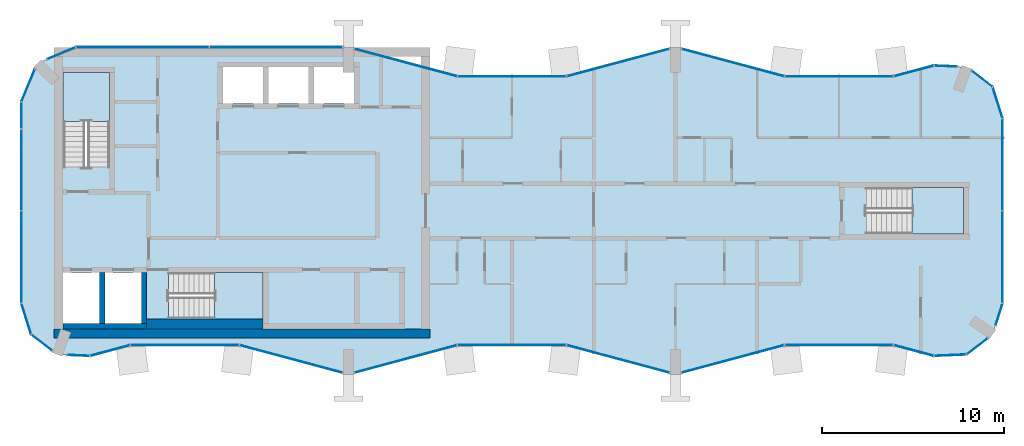
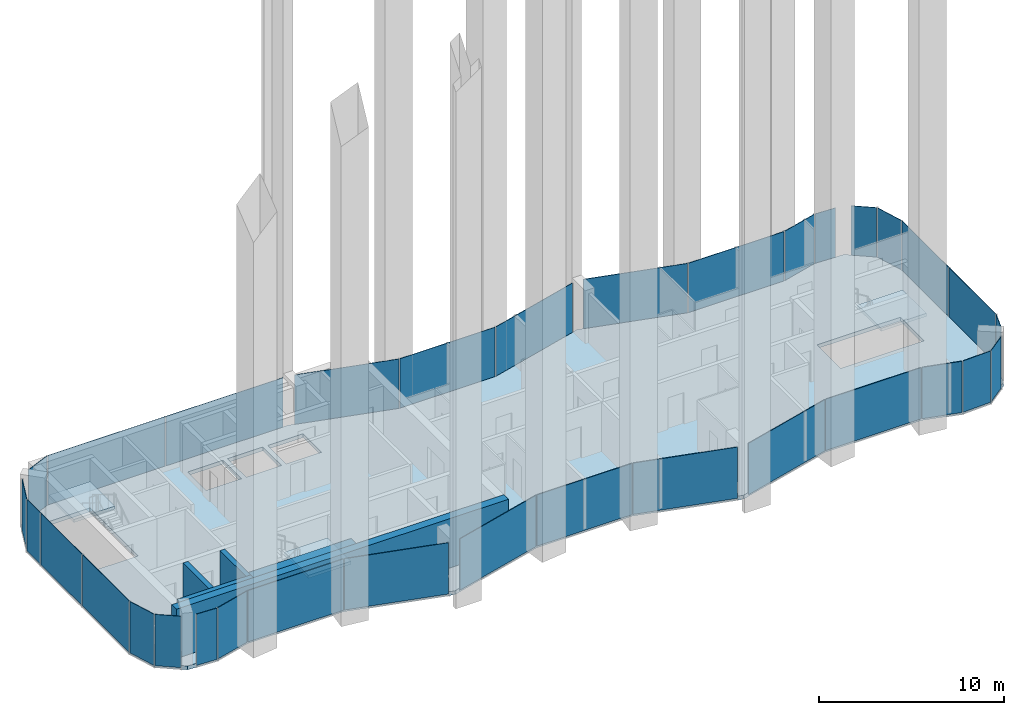
# One storey, part 6 of 11: 33 plates, 5 walls, 4 slabs, 32 elements without a shape of their own.
"""IFC4 building model written with IfcOpenShell, lengths in metres."""

import ifcopenshell
import ifcopenshell.guid

model = None  # the IFC model being written
_history = None  # IfcOwnerHistory: only IFC2X3 demands one
_inside = {}  # id of a spatial element -> (the spatial element, [elements in it])
_under = {}  # id of a project, library or spatial element -> (it, [spatial elements below it])
_declared = {}  # id of a project -> (the project, [libraries it declares])
_typed = {}  # id of a type object -> (the type object, [elements of that type])
_made_of = {}  # id of a material, layer set ... -> (it, [elements and type objects made of it])


def new_model(schema):
    """Start an empty IFC model of exactly this schema.

    Asked for "IFC4X3", IfcOpenShell would pick the latest addendum, in which some entities
    have other attributes; the version numbers below select the first issue.
    IFC2X3 requires an IfcOwnerHistory on every rooted entity: one is made here for all.
    """
    global model, _history
    if schema == "IFC4X3":
        model = ifcopenshell.file(schema_version=(4, 3, 0, 0))
    else:
        model = ifcopenshell.file(schema=schema)
    _inside.clear()
    _under.clear()
    _declared.clear()
    _typed.clear()
    _made_of.clear()
    _history = None
    if model.schema == "IFC2X3":
        org = make("IfcOrganization", Name="unknown")
        user = make(
            "IfcPersonAndOrganization",
            ThePerson=make("IfcPerson", FamilyName="unknown"),
            TheOrganization=org,
        )
        app = make(
            "IfcApplication",
            ApplicationDeveloper=org,
            Version="unknown",
            ApplicationFullName="unknown",
            ApplicationIdentifier="unknown",
        )
        _history = make(
            "IfcOwnerHistory",
            OwningUser=user,
            OwningApplication=app,
            ChangeAction="ADDED",
            CreationDate=0,
        )
    return model


def make(cls, **values):
    """One entity of the class cls with the attributes given. An attribute that is None is left unset."""
    return model.create_entity(
        cls, **{name: value for name, value in values.items() if value is not None}
    )


def rooted(cls, **values):
    """An entity with a GlobalId (a new one), such as an element, a storey or a relation."""
    return make(cls, GlobalId=ifcopenshell.guid.new(), OwnerHistory=_history, **values)


def si_unit(unit_type, name, prefix=None):
    """IfcSIUnit, for example si_unit("LENGTHUNIT", "METRE", prefix="MILLI")."""
    return make("IfcSIUnit", UnitType=unit_type, Prefix=prefix, Name=name)


def assignment(units):
    """IfcUnitAssignment: the units of a project."""
    return None if units is None else make("IfcUnitAssignment", Units=units)


def point(xyz):
    """IfcCartesianPoint."""
    return None if xyz is None else make("IfcCartesianPoint", Coordinates=xyz)


def direction(xyz):
    """IfcDirection."""
    return None if xyz is None else make("IfcDirection", DirectionRatios=xyz)


def frame(location, z_axis=None, x_axis=None):
    """IfcAxis2Placement3D, a coordinate frame: its origin and axes. An axis left out is left unset."""
    return make(
        "IfcAxis2Placement3D",
        Location=point(location),
        Axis=direction(z_axis),
        RefDirection=direction(x_axis),
    )


def frame_2d(location, x_axis=None):
    """IfcAxis2Placement2D, a coordinate frame in the plane: its origin and x axis."""
    return make(
        "IfcAxis2Placement2D", Location=point(location), RefDirection=direction(x_axis)
    )


def origin():
    """The frame at (0, 0, 0) with its axes left unset."""
    return frame((0.0, 0.0, 0.0))


def origin_2d():
    """The frame at (0, 0) in the plane with its x axis left unset."""
    return frame_2d((0.0, 0.0))


def place(relative_to, where):
    """IfcLocalPlacement: puts the frame where relative to a parent placement (None: the world)."""
    return make(
        "IfcLocalPlacement", PlacementRelTo=relative_to, RelativePlacement=where
    )


def context(
    kind, dimensions, precision=None, world=None, true_north=None, identifier=None
):
    """IfcGeometricRepresentationContext, for example the 3D "Model" context."""
    return make(
        "IfcGeometricRepresentationContext",
        ContextIdentifier=identifier,
        ContextType=kind,
        CoordinateSpaceDimension=dimensions,
        Precision=precision,
        WorldCoordinateSystem=world,
        TrueNorth=true_north,
    )


def subcontext(parent, identifier, kind, view, scale=None):
    """IfcGeometricRepresentationSubContext, for example "Body" below "Model"."""
    return make(
        "IfcGeometricRepresentationSubContext",
        ContextIdentifier=identifier,
        ContextType=kind,
        ParentContext=parent,
        TargetScale=scale,
        TargetView=view,
    )


def project(units=None, contexts=None):
    """IfcProject with its units and contexts."""
    return rooted(
        "IfcProject",
        Name="project",
        RepresentationContexts=contexts,
        UnitsInContext=assignment(units),
    )


def spatial(cls, under=None, at=None, **own):
    """A site, building, storey or space (cls), placed at a placement, below another one or the project."""
    s = rooted(cls, ObjectPlacement=at, **own)
    if under is not None:
        _under.setdefault(under.id(), (under, []))[1].append(s)
    return s


def polyline(points):
    """IfcPolyline through the points."""
    return make("IfcPolyline", Points=[point(p) for p in points])


def profile(cls, at=None, kind="AREA", **sizes):
    """A parametric profile (cls). Its sizes go by their IFC names, for example OverallWidth=200.0."""
    return make(cls, ProfileType=kind, Position=at, **sizes)


def rectangle(**sizes):
    """IfcRectangleProfileDef."""
    return profile("IfcRectangleProfileDef", **sizes)


def outline(outer, holes=None, kind="AREA"):
    """IfcArbitraryClosedProfileDef: a profile drawn as a closed curve; with holes, ...WithVoids."""
    if holes is None:
        return make("IfcArbitraryClosedProfileDef", ProfileType=kind, OuterCurve=outer)
    return make(
        "IfcArbitraryProfileDefWithVoids",
        ProfileType=kind,
        OuterCurve=outer,
        InnerCurves=holes,
    )


def extrude(swept, where, along, depth):
    """IfcExtrudedAreaSolid: the profile swept, set in the frame where, extruded along a direction by depth."""
    return make(
        "IfcExtrudedAreaSolid",
        SweptArea=swept,
        Position=where,
        ExtrudedDirection=direction(along),
        Depth=depth,
    )


def shape(context_of_items, identifier, shape_type, items):
    """IfcShapeRepresentation: the items that make up one representation, for example the "Body"."""
    return make(
        "IfcShapeRepresentation",
        ContextOfItems=context_of_items,
        RepresentationIdentifier=identifier,
        RepresentationType=shape_type,
        Items=items,
    )


def material(Name=None, Category=None):
    """IfcMaterial."""
    return make("IfcMaterial", Name=Name, Category=Category)


def layer(
    of_material, thickness, ventilated=None, Name=None, Category=None, Priority=None
):
    """IfcMaterialLayer: one layer of a wall or slab, of a material (None: an air gap)."""
    return make(
        "IfcMaterialLayer",
        Material=of_material,
        LayerThickness=thickness,
        IsVentilated=ventilated,
        Name=Name,
        Category=Category,
        Priority=Priority,
    )


def layer_set(layers, Name=None):
    """IfcMaterialLayerSet."""
    return make("IfcMaterialLayerSet", MaterialLayers=layers, LayerSetName=Name)


def made_of(thing, what):
    """Note that an element or type object is made of a material, layer set ...; save() writes the relation."""
    if what is not None:
        _made_of.setdefault(what.id(), (what, []))[1].append(thing)
    return thing


def type_object(cls, material=None, **own):
    """A type object (cls), such as IfcWallType, which elements share."""
    return made_of(rooted(cls, **own), material)


def element(
    cls,
    number,
    at=None,
    inside=None,
    cuts=None,
    type_object=None,
    material=None,
    context=None,
    identifier="Body",
    shape_type=None,
    held_by="IfcProductDefinitionShape",
    body=None,
    shapes=None,
    **own,
):
    """One element of the class cls, such as IfcWall. Its Tag is "e" and its number.

    at: its placement. inside: the storey or other place that contains it. cuts: it is an
    opening in that element (IfcRelVoidsElement). A single representation is given by context,
    identifier, shape_type and body (its items); several are given by shapes. held_by: the class
    of the entity that holds the representations. save() writes the other relations.
    """
    e = rooted(cls, Tag="e%d" % number, ObjectPlacement=at, **own)
    if body is not None:
        shapes = [shape(context, identifier, shape_type, body)]
    if shapes is not None:
        e.Representation = make(held_by, Representations=shapes)
    if inside is not None:
        _inside.setdefault(inside.id(), (inside, []))[1].append(e)
    if cuts is not None:
        rooted(
            "IfcRelVoidsElement", RelatingBuildingElement=cuts, RelatedOpeningElement=e
        )
    if type_object is not None:
        _typed.setdefault(type_object.id(), (type_object, []))[1].append(e)
    return made_of(e, material)


def aggregate(whole, parts):
    """IfcRelAggregates: a whole, such as a stair, and the parts it consists of."""
    return rooted("IfcRelAggregates", RelatingObject=whole, RelatedObjects=parts)


def save(model, path):
    """Write the relations noted so far, then the file.

    IfcRelAggregates (storeys below a building ...), IfcRelContainedInSpatialStructure (elements
    in a storey), IfcRelDefinesByType, IfcRelAssociatesMaterial and IfcRelDeclares: one each for
    every whole, place, type object, material and project.
    """
    for whole, parts in _under.values():
        aggregate(whole, parts)
    for where, things in _inside.values():
        rooted(
            "IfcRelContainedInSpatialStructure",
            RelatedElements=things,
            RelatingStructure=where,
        )
    for kind, things in _typed.values():
        rooted("IfcRelDefinesByType", RelatedObjects=things, RelatingType=kind)
    for what, things in _made_of.values():
        rooted("IfcRelAssociatesMaterial", RelatedObjects=things, RelatingMaterial=what)
    for by, libraries in _declared.values():
        rooted("IfcRelDeclares", RelatingContext=by, RelatedDefinitions=libraries)
    model.write(path)


model = new_model("IFC4")

# Units and contexts
model_context = context("Model", 3, precision=1e-05, world=origin(), true_north=direction((0.0, 1.0)))
body_context = subcontext(model_context, "Body", "Model", "MODEL_VIEW")
ifc_project = project(units=[si_unit("LENGTHUNIT", "METRE"), si_unit("AREAUNIT", "SQUARE_METRE"), si_unit("VOLUMEUNIT", "CUBIC_METRE"), si_unit("PLANEANGLEUNIT", "RADIAN"), si_unit("MASSUNIT", "GRAM", prefix="KILO")], contexts=[model_context])

# Site, building, storey
site_placement = place(None, origin())
site = spatial("IfcSite", under=ifc_project, at=site_placement, CompositionType="ELEMENT")
building_placement = place(site_placement, origin())
building = spatial("IfcBuilding", under=site, at=building_placement, Name="Plateau Cross Towers", CompositionType="ELEMENT")
storey_placement = place(building_placement, frame((0.0, 0.0, 242.39990234375)))
storey = spatial("IfcBuildingStorey", under=building, at=storey_placement, Name="L63", CompositionType="ELEMENT", Elevation=242.39990234375)

# Curtain wall, plate
ifc_material_1 = material(Name="Dark low-iron glass", Category="glass")
ifc_layer_1 = layer(ifc_material_1, 0.239990234375)
ifc_layer_set_1 = layer_set([ifc_layer_1], Name="Dark low-iron glass")
curtain_wall_type_1 = type_object("IfcCurtainWallType", Name="Curtain wall flush unitised CW-B", PredefinedType="NOTDEFINED", material=ifc_layer_set_1)
curtain_wall_1_placement = place(storey_placement, origin())
curtain_wall_1 = element("IfcCurtainWall", 1, at=curtain_wall_1_placement, inside=storey, type_object=curtain_wall_type_1, Name="ENV/A/L63/A502_10", PredefinedType="NOTDEFINED")
ifc_layer_2 = layer(ifc_material_1, 0.031982421875)
ifc_layer_set_2 = layer_set([ifc_layer_2], Name="Dark low-iron glass")
plate_type_1 = type_object("IfcPlateType", Name="Glass panel 32 flush unitised", PredefinedType="CURTAIN_PANEL", material=ifc_layer_set_2)
plate_1_placement = place(storey_placement, frame((51.125, 1.05078125, -0.1298828125), z_axis=(0.0, 0.0, 1.0), x_axis=(0.999043701491, 0.043722791671, 0.0)))
plate_1 = element("IfcPlate", 2, at=plate_1_placement, type_object=plate_type_1, Name="CW-B panel 1", PredefinedType="CURTAIN_PANEL", context=body_context, shape_type="SweptSolid", body=[
    extrude(rectangle(XDim=1.744140625, YDim=0.031982421875, at=origin_2d()), origin(), (0.0, 0.0, 1.0), 3.3798828125),
])
aggregate(curtain_wall_1, [plate_1])

curtain_wall_2_placement = place(storey_placement, origin())
curtain_wall_2 = element("IfcCurtainWall", 3, at=curtain_wall_2_placement, inside=storey, type_object=curtain_wall_type_1, Name="ENV/A/L63/A520_11", PredefinedType="NOTDEFINED")
plate_2_placement = place(storey_placement, frame((52.60986328125, 1.5380859375, -0.1298828125), z_axis=(0.0, 0.0, 1.0), x_axis=(0.793315514529, 0.608810721331, 0.0)))
plate_2 = element("IfcPlate", 4, at=plate_2_placement, type_object=plate_type_1, Name="CW-B panel 1", PredefinedType="CURTAIN_PANEL", context=body_context, shape_type="SweptSolid", body=[
    extrude(rectangle(XDim=1.41162109375, YDim=0.031982421875, at=origin_2d()), origin(), (0.0, 0.0, 1.0), 3.3798828125),
])
aggregate(curtain_wall_2, [plate_2])

curtain_wall_3_placement = place(storey_placement, origin())
curtain_wall_3 = element("IfcCurtainWall", 5, at=curtain_wall_3_placement, inside=storey, type_object=curtain_wall_type_1, Name="ENV/A/L63/A536_27", PredefinedType="NOTDEFINED")
plate_3_placement = place(storey_placement, frame((53.805419921875, 3.292236328125, -0.1298828125), z_axis=(0.0, 0.0, 1.0), x_axis=(0.300686174994, 0.95372313811, 0.0)))
plate_3 = element("IfcPlate", 6, at=plate_3_placement, type_object=plate_type_1, Name="CW-B panel 1", PredefinedType="CURTAIN_PANEL", context=body_context, shape_type="SweptSolid", body=[
    extrude(rectangle(XDim=1.233642578125, YDim=0.031982421875, at=origin_2d()), origin(), (0.0, 0.0, 1.0), 3.3798828125),
])
aggregate(curtain_wall_3, [plate_3])

# Curtain wall, plates
curtain_wall_4_placement = place(storey_placement, origin())
curtain_wall_4 = element("IfcCurtainWall", 7, at=curtain_wall_4_placement, inside=storey, type_object=curtain_wall_type_1, Name="ENV/A/L63/A540_39", PredefinedType="NOTDEFINED")
plate_4_placement = place(storey_placement, frame((54.0, 6.45458984375, -0.1298828125), z_axis=(0.0, 0.0, 1.0), x_axis=(0.0, 1.0, 0.0)))
plate_4 = element("IfcPlate", 8, at=plate_4_placement, type_object=plate_type_1, Name="CW-B panel 1", PredefinedType="CURTAIN_PANEL", context=body_context, shape_type="SweptSolid", body=[
    extrude(rectangle(XDim=5.03076171875, YDim=0.031982421875, at=origin_2d()), origin(), (0.0, 0.0, 1.0), 3.3798828125),
])
plate_5_placement = place(storey_placement, frame((54.0, 11.54541015625, -0.1298828125), z_axis=(0.0, 0.0, 1.0), x_axis=(0.0, 1.0, 0.0)))
plate_5 = element("IfcPlate", 9, at=plate_5_placement, type_object=plate_type_1, Name="CW-B panel 2", PredefinedType="CURTAIN_PANEL", context=body_context, shape_type="SweptSolid", body=[
    extrude(rectangle(XDim=5.03076171875, YDim=0.031982421875, at=origin_2d()), origin(), (0.0, 0.0, 1.0), 3.3798828125),
])
aggregate(curtain_wall_4, [plate_4, plate_5])

# Curtain wall, plate
curtain_wall_5_placement = place(storey_placement, origin())
curtain_wall_5 = element("IfcCurtainWall", 10, at=curtain_wall_5_placement, inside=storey, type_object=curtain_wall_type_1, Name="ENV/A/L63/A540_141", PredefinedType="NOTDEFINED")
plate_6_placement = place(storey_placement, frame((53.728759765625, 14.951171875, -0.1298828125), z_axis=(0.0, 0.0, 1.0), x_axis=(-0.300686174994, 0.95372313811, 0.0)))
plate_6 = element("IfcPlate", 11, at=plate_6_placement, type_object=plate_type_1, Name="CW-B panel 1", PredefinedType="CURTAIN_PANEL", context=body_context, shape_type="SweptSolid", body=[
    extrude(rectangle(XDim=1.744140625, YDim=0.031982421875, at=origin_2d()), origin(), (0.0, 0.0, 1.0), 3.3798828125),
])
aggregate(curtain_wall_5, [plate_6])

curtain_wall_6_placement = place(storey_placement, origin())
curtain_wall_6 = element("IfcCurtainWall", 12, at=curtain_wall_6_placement, inside=storey, type_object=curtain_wall_type_1, Name="ENV/A/L63/A535_158", PredefinedType="NOTDEFINED")
plate_7_placement = place(storey_placement, frame((52.873779296875, 16.25927734375, -0.1298828125), z_axis=(0.0, 0.0, 1.0), x_axis=(-0.793315514529, 0.608810721331, 0.0)))
plate_7 = element("IfcPlate", 13, at=plate_7_placement, type_object=plate_type_1, Name="CW-B panel 1", PredefinedType="CURTAIN_PANEL", context=body_context, shape_type="SweptSolid", body=[
    extrude(rectangle(XDim=1.41162109375, YDim=0.031982421875, at=origin_2d()), origin(), (0.0, 0.0, 1.0), 3.3798828125),
])
aggregate(curtain_wall_6, [plate_7])

curtain_wall_7_placement = place(storey_placement, origin())
curtain_wall_7 = element("IfcCurtainWall", 14, at=curtain_wall_7_placement, inside=storey, type_object=curtain_wall_type_1, Name="ENV/A/L63/A515_169", PredefinedType="NOTDEFINED")
plate_8_placement = place(storey_placement, frame((50.8701171875, 16.96044921875, -0.1298828125), z_axis=(0.0, 0.0, 1.0), x_axis=(-0.999043701491, 0.043722791671, 0.0)))
plate_8 = element("IfcPlate", 15, at=plate_8_placement, type_object=plate_type_1, Name="CW-B panel 1", PredefinedType="CURTAIN_PANEL", context=body_context, shape_type="SweptSolid", body=[
    extrude(rectangle(XDim=1.233642578125, YDim=0.031982421875, at=origin_2d()), origin(), (0.0, 0.0, 1.0), 3.3798828125),
])
aggregate(curtain_wall_7, [plate_8])

# Curtain wall, plates
curtain_wall_8_placement = place(storey_placement, origin())
curtain_wall_8 = element("IfcCurtainWall", 16, at=curtain_wall_8_placement, inside=storey, type_object=curtain_wall_type_1, Name="ENV/A/L63/A177_180", PredefinedType="NOTDEFINED")
plate_9_placement = place(storey_placement, frame((14.02490234375, 18.0, -0.1298828125), z_axis=(0.0, 0.0, 1.0), x_axis=(-1.0, 0.0, 0.0)))
plate_9 = element("IfcPlate", 17, at=plate_9_placement, type_object=plate_type_1, Name="CW-B panel 1", PredefinedType="CURTAIN_PANEL", context=body_context, shape_type="SweptSolid", body=[
    extrude(rectangle(XDim=7.2900390625, YDim=0.031982421875, at=origin_2d()), origin(), (0.0, 0.0, 1.0), 3.3798828125),
])
plate_10_placement = place(storey_placement, frame((6.675048828125, 18.0, -0.1298828125), z_axis=(0.0, 0.0, 1.0), x_axis=(-1.0, 0.0, 0.0)))
plate_10 = element("IfcPlate", 18, at=plate_10_placement, type_object=plate_type_1, Name="CW-B panel 2", PredefinedType="CURTAIN_PANEL", context=body_context, shape_type="SweptSolid", body=[
    extrude(rectangle(XDim=7.2900390625, YDim=0.031982421875, at=origin_2d()), origin(), (0.0, 0.0, 1.0), 3.3798828125),
])
aggregate(curtain_wall_8, [plate_9, plate_10])

# Curtain wall, plate
curtain_wall_9_placement = place(storey_placement, origin())
curtain_wall_9 = element("IfcCurtainWall", 19, at=curtain_wall_9_placement, inside=storey, type_object=curtain_wall_type_1, Name="ENV/A/L63/A30_180", PredefinedType="NOTDEFINED")
plate_11_placement = place(storey_placement, frame((2.20166015625, 17.66943359375, -0.1298828125), z_axis=(0.0, 0.0, 1.0), x_axis=(-0.923879457699, -0.382683612978, 0.0)))
plate_11 = element("IfcPlate", 20, at=plate_11_placement, type_object=plate_type_1, Name="CW-B panel 1", PredefinedType="CURTAIN_PANEL", context=body_context, shape_type="SweptSolid", body=[
    extrude(rectangle(XDim=1.668212890625, YDim=0.031982421875, at=origin_2d()), origin(), (0.0, 0.0, 1.0), 3.3798828125),
])
aggregate(curtain_wall_9, [plate_11])

curtain_wall_10_placement = place(storey_placement, origin())
curtain_wall_10 = element("IfcCurtainWall", 21, at=curtain_wall_10_placement, inside=storey, type_object=curtain_wall_type_1, Name="ENV/A/L63/A7_168", PredefinedType="NOTDEFINED")
plate_12_placement = place(storey_placement, frame((0.3740234375, 15.90283203125, -0.1298828125), z_axis=(0.0, 0.0, 1.0), x_axis=(-0.382683612978, -0.923879457699, 0.0)))
plate_12 = element("IfcPlate", 22, at=plate_12_placement, type_object=plate_type_1, Name="CW-B panel 1", PredefinedType="CURTAIN_PANEL", context=body_context, shape_type="SweptSolid", body=[
    extrude(rectangle(XDim=1.894775390625, YDim=0.031982421875, at=origin_2d()), origin(), (0.0, 0.0, 1.0), 3.3798828125),
])
aggregate(curtain_wall_10, [plate_12])

# Curtain wall, plates
curtain_wall_11_placement = place(storey_placement, origin())
curtain_wall_11 = element("IfcCurtainWall", 23, at=curtain_wall_11_placement, inside=storey, type_object=curtain_wall_type_1, Name="ENV/A/L63/A0_150", PredefinedType="NOTDEFINED")
plate_13_placement = place(storey_placement, frame((0.0, 14.25, -0.1298828125), z_axis=(0.0, 0.0, 1.0), x_axis=(0.0, -1.0, 0.0)))
plate_13 = element("IfcPlate", 24, at=plate_13_placement, type_object=plate_type_1, Name="CW-B panel 1", PredefinedType="CURTAIN_PANEL", context=body_context, shape_type="SweptSolid", body=[
    extrude(rectangle(XDim=1.43994140625, YDim=0.031982421875, at=origin_2d()), origin(), (0.0, 0.0, 1.0), 3.3798828125),
])
plate_14_placement = place(storey_placement, frame((0.0, 11.25, -0.1298828125), z_axis=(0.0, 0.0, 1.0), x_axis=(0.0, -1.0, 0.0)))
plate_14 = element("IfcPlate", 25, at=plate_14_placement, type_object=plate_type_1, Name="CW-B panel 2", PredefinedType="CURTAIN_PANEL", context=body_context, shape_type="SweptSolid", body=[
    extrude(rectangle(XDim=4.43994140625, YDim=0.031982421875, at=origin_2d()), origin(), (0.0, 0.0, 1.0), 3.3798828125),
])
plate_15_placement = place(storey_placement, frame((0.0, 6.45458984375, -0.1298828125), z_axis=(0.0, 0.0, 1.0), x_axis=(0.0, -1.0, 0.0)))
plate_15 = element("IfcPlate", 26, at=plate_15_placement, type_object=plate_type_1, Name="CW-B panel 3", PredefinedType="CURTAIN_PANEL", context=body_context, shape_type="SweptSolid", body=[
    extrude(rectangle(XDim=5.03076171875, YDim=0.031982421875, at=origin_2d()), origin(), (0.0, 0.0, 1.0), 3.3798828125),
])
aggregate(curtain_wall_11, [plate_13, plate_14, plate_15])

# Curtain wall, plate
curtain_wall_12_placement = place(storey_placement, origin())
curtain_wall_12 = element("IfcCurtainWall", 27, at=curtain_wall_12_placement, inside=storey, type_object=curtain_wall_type_1, Name="ENV/A/L63/A0_39", PredefinedType="NOTDEFINED")
plate_16_placement = place(storey_placement, frame((0.271240234375, 3.048828125, -0.1298828125), z_axis=(0.0, 0.0, 1.0), x_axis=(0.300686174994, -0.95372313811, 0.0)))
plate_16 = element("IfcPlate", 28, at=plate_16_placement, type_object=plate_type_1, Name="CW-B panel 1", PredefinedType="CURTAIN_PANEL", context=body_context, shape_type="SweptSolid", body=[
    extrude(rectangle(XDim=1.744140625, YDim=0.031982421875, at=origin_2d()), origin(), (0.0, 0.0, 1.0), 3.3798828125),
])
aggregate(curtain_wall_12, [plate_16])

curtain_wall_13_placement = place(storey_placement, origin())
curtain_wall_13 = element("IfcCurtainWall", 29, at=curtain_wall_13_placement, inside=storey, type_object=curtain_wall_type_1, Name="ENV/A/L63/A5_22", PredefinedType="NOTDEFINED")
plate_17_placement = place(storey_placement, frame((1.126220703125, 1.74072265625, -0.1298828125), z_axis=(0.0, 0.0, 1.0), x_axis=(0.793315514529, -0.608810721331, 0.0)))
plate_17 = element("IfcPlate", 30, at=plate_17_placement, type_object=plate_type_1, Name="CW-B panel 1", PredefinedType="CURTAIN_PANEL", context=body_context, shape_type="SweptSolid", body=[
    extrude(rectangle(XDim=1.41162109375, YDim=0.031982421875, at=origin_2d()), origin(), (0.0, 0.0, 1.0), 3.3798828125),
])
aggregate(curtain_wall_13, [plate_17])

curtain_wall_14_placement = place(storey_placement, origin())
curtain_wall_14 = element("IfcCurtainWall", 31, at=curtain_wall_14_placement, inside=storey, type_object=curtain_wall_type_1, Name="ENV/A/L63/A25_11", PredefinedType="NOTDEFINED")
plate_18_placement = place(storey_placement, frame((3.1298828125, 1.03955078125, -0.1298828125), z_axis=(0.0, 0.0, 1.0), x_axis=(0.999043701491, -0.043722791671, 0.0)))
plate_18 = element("IfcPlate", 32, at=plate_18_placement, type_object=plate_type_1, Name="CW-B panel 1", PredefinedType="CURTAIN_PANEL", context=body_context, shape_type="SweptSolid", body=[
    extrude(rectangle(XDim=1.233642578125, YDim=0.031982421875, at=origin_2d()), origin(), (0.0, 0.0, 1.0), 3.3798828125),
])
aggregate(curtain_wall_14, [plate_18])

ifc_layer_3 = layer(ifc_material_1, 0.260009765625)
ifc_layer_set_3 = layer_set([ifc_layer_3], Name="Dark low-iron glass")
curtain_wall_type_2 = type_object("IfcCurtainWallType", Name="Curtain wall fluted unitised CW-A", PredefinedType="NOTDEFINED", material=ifc_layer_set_3)
curtain_wall_15_placement = place(storey_placement, origin())
curtain_wall_15 = element("IfcCurtainWall", 33, at=curtain_wall_15_placement, inside=storey, type_object=curtain_wall_type_2, Name="ENV/A/L63/A38_10", PredefinedType="NOTDEFINED")
ifc_layer_4 = layer(ifc_material_1, 0.035888671875)
ifc_layer_set_4 = layer_set([ifc_layer_4], Name="Dark low-iron glass")
plate_type_2 = type_object("IfcPlateType", Name="Glass panel 36 fluted unitised", PredefinedType="CURTAIN_PANEL", material=ifc_layer_set_4)
plate_19_placement = place(storey_placement, frame((4.887939453125, 1.30908203125, -0.1298828125), z_axis=(0.0, 0.0, 1.0), x_axis=(0.965957962328, 0.258699081978, 0.0)))
plate_19 = element("IfcPlate", 34, at=plate_19_placement, type_object=plate_type_2, Name="CW-A panel 1", PredefinedType="CURTAIN_PANEL", context=body_context, shape_type="SweptSolid", body=[
    extrude(rectangle(XDim=2.2421875, YDim=0.035888671875, at=origin_2d()), origin(), (0.0, 0.0, 1.0), 3.3798828125),
])
aggregate(curtain_wall_15, [plate_19])

curtain_wall_16_placement = place(storey_placement, origin())
curtain_wall_16 = element("IfcCurtainWall", 35, at=curtain_wall_16_placement, inside=storey, type_object=curtain_wall_type_2, Name="ENV/A/L63/A60_16", PredefinedType="NOTDEFINED")
plate_20_placement = place(storey_placement, frame((9.0, 1.60693359375, -0.1298828125), z_axis=(0.0, 0.0, 1.0), x_axis=(1.0, 0.0, 0.0)))
plate_20 = element("IfcPlate", 36, at=plate_20_placement, type_object=plate_type_2, Name="CW-A panel 1", PredefinedType="CURTAIN_PANEL", context=body_context, shape_type="SweptSolid", body=[
    extrude(rectangle(XDim=5.93994140625, YDim=0.035888671875, at=origin_2d()), origin(), (0.0, 0.0, 1.0), 3.3798828125),
])
aggregate(curtain_wall_16, [plate_20])

curtain_wall_17_placement = place(storey_placement, origin())
curtain_wall_17 = element("IfcCurtainWall", 37, at=curtain_wall_17_placement, inside=storey, type_object=curtain_wall_type_2, Name="ENV/A/L63/A120_16", PredefinedType="NOTDEFINED")
plate_21_placement = place(storey_placement, frame((14.841064453125, 0.845947265625, -0.1298828125), z_axis=(0.0, 0.0, 1.0), x_axis=(0.965957983404, -0.258699003279, 0.0)))
plate_21 = element("IfcPlate", 38, at=plate_21_placement, type_object=plate_type_2, Name="CW-A panel 1", PredefinedType="CURTAIN_PANEL", context=body_context, shape_type="SweptSolid", body=[
    extrude(rectangle(XDim=5.822265625, YDim=0.035888671875, at=origin_2d()), origin(), (0.0, 0.0, 1.0), 3.3798828125),
])
aggregate(curtain_wall_17, [plate_21])

curtain_wall_18_placement = place(storey_placement, origin())
curtain_wall_18 = element("IfcCurtainWall", 39, at=curtain_wall_18_placement, inside=storey, type_object=curtain_wall_type_2, Name="ENV/A/L63/A183_1", PredefinedType="NOTDEFINED")
plate_22_placement = place(storey_placement, frame((21.158935546875, 0.845947265625, -0.1298828125), z_axis=(0.0, 0.0, 1.0), x_axis=(0.965957983404, 0.258699003279, 0.0)))
plate_22 = element("IfcPlate", 40, at=plate_22_placement, type_object=plate_type_2, Name="CW-A panel 1", PredefinedType="CURTAIN_PANEL", context=body_context, shape_type="SweptSolid", body=[
    extrude(rectangle(XDim=5.822265625, YDim=0.035888671875, at=origin_2d()), origin(), (0.0, 0.0, 1.0), 3.3798828125),
])
aggregate(curtain_wall_18, [plate_22])

curtain_wall_19_placement = place(storey_placement, origin())
curtain_wall_19 = element("IfcCurtainWall", 41, at=curtain_wall_19_placement, inside=storey, type_object=curtain_wall_type_2, Name="ENV/A/L63/A240_16", PredefinedType="NOTDEFINED")
plate_23_placement = place(storey_placement, frame((27.0, 1.60693359375, -0.1298828125), z_axis=(0.0, 0.0, 1.0), x_axis=(1.0, 0.0, 0.0)))
plate_23 = element("IfcPlate", 42, at=plate_23_placement, type_object=plate_type_2, Name="CW-A panel 1", PredefinedType="CURTAIN_PANEL", context=body_context, shape_type="SweptSolid", body=[
    extrude(rectangle(XDim=5.93994140625, YDim=0.035888671875, at=origin_2d()), origin(), (0.0, 0.0, 1.0), 3.3798828125),
])
aggregate(curtain_wall_19, [plate_23])

curtain_wall_20_placement = place(storey_placement, origin())
curtain_wall_20 = element("IfcCurtainWall", 43, at=curtain_wall_20_placement, inside=storey, type_object=curtain_wall_type_2, Name="ENV/A/L63/A300_16", PredefinedType="NOTDEFINED")
plate_24_placement = place(storey_placement, frame((32.841064453125, 0.845947265625, -0.1298828125), z_axis=(0.0, 0.0, 1.0), x_axis=(0.965957983404, -0.258699003279, 0.0)))
plate_24 = element("IfcPlate", 44, at=plate_24_placement, type_object=plate_type_2, Name="CW-A panel 1", PredefinedType="CURTAIN_PANEL", context=body_context, shape_type="SweptSolid", body=[
    extrude(rectangle(XDim=5.822265625, YDim=0.035888671875, at=origin_2d()), origin(), (0.0, 0.0, 1.0), 3.3798828125),
])
aggregate(curtain_wall_20, [plate_24])

curtain_wall_21_placement = place(storey_placement, origin())
curtain_wall_21 = element("IfcCurtainWall", 45, at=curtain_wall_21_placement, inside=storey, type_object=curtain_wall_type_2, Name="ENV/A/L63/A363_1", PredefinedType="NOTDEFINED")
plate_25_placement = place(storey_placement, frame((39.158935546875, 0.845947265625, -0.1298828125), z_axis=(0.0, 0.0, 1.0), x_axis=(0.965957983404, 0.258699003279, 0.0)))
plate_25 = element("IfcPlate", 46, at=plate_25_placement, type_object=plate_type_2, Name="CW-A panel 1", PredefinedType="CURTAIN_PANEL", context=body_context, shape_type="SweptSolid", body=[
    extrude(rectangle(XDim=5.822265625, YDim=0.035888671875, at=origin_2d()), origin(), (0.0, 0.0, 1.0), 3.3798828125),
])
aggregate(curtain_wall_21, [plate_25])

curtain_wall_22_placement = place(storey_placement, origin())
curtain_wall_22 = element("IfcCurtainWall", 47, at=curtain_wall_22_placement, inside=storey, type_object=curtain_wall_type_2, Name="ENV/A/L63/A420_16", PredefinedType="NOTDEFINED")
plate_26_placement = place(storey_placement, frame((45.0, 1.60693359375, -0.1298828125), z_axis=(0.0, 0.0, 1.0), x_axis=(1.0, 0.0, 0.0)))
plate_26 = element("IfcPlate", 48, at=plate_26_placement, type_object=plate_type_2, Name="CW-A panel 1", PredefinedType="CURTAIN_PANEL", context=body_context, shape_type="SweptSolid", body=[
    extrude(rectangle(XDim=5.93994140625, YDim=0.035888671875, at=origin_2d()), origin(), (0.0, 0.0, 1.0), 3.3798828125),
])
aggregate(curtain_wall_22, [plate_26])

curtain_wall_23_placement = place(storey_placement, origin())
curtain_wall_23 = element("IfcCurtainWall", 49, at=curtain_wall_23_placement, inside=storey, type_object=curtain_wall_type_2, Name="ENV/A/L63/A480_16", PredefinedType="NOTDEFINED")
plate_27_placement = place(storey_placement, frame((49.112060546875, 1.30908203125, -0.1298828125), z_axis=(0.0, 0.0, 1.0), x_axis=(0.965957962328, -0.258699081978, 0.0)))
plate_27 = element("IfcPlate", 50, at=plate_27_placement, type_object=plate_type_2, Name="CW-A panel 1", PredefinedType="CURTAIN_PANEL", context=body_context, shape_type="SweptSolid", body=[
    extrude(rectangle(XDim=2.2421875, YDim=0.035888671875, at=origin_2d()), origin(), (0.0, 0.0, 1.0), 3.3798828125),
])
aggregate(curtain_wall_23, [plate_27])

curtain_wall_24_placement = place(storey_placement, origin())
curtain_wall_24 = element("IfcCurtainWall", 51, at=curtain_wall_24_placement, inside=storey, type_object=curtain_wall_type_2, Name="ENV/A/L63/A502_170", PredefinedType="NOTDEFINED")
plate_28_placement = place(storey_placement, frame((49.112060546875, 16.69091796875, -0.1298828125), z_axis=(0.0, 0.0, 1.0), x_axis=(-0.965957962328, -0.258699081978, 0.0)))
plate_28 = element("IfcPlate", 52, at=plate_28_placement, type_object=plate_type_2, Name="CW-A panel 1", PredefinedType="CURTAIN_PANEL", context=body_context, shape_type="SweptSolid", body=[
    extrude(rectangle(XDim=2.2421875, YDim=0.035888671875, at=origin_2d()), origin(), (0.0, 0.0, 1.0), 3.3798828125),
])
aggregate(curtain_wall_24, [plate_28])

curtain_wall_25_placement = place(storey_placement, origin())
curtain_wall_25 = element("IfcCurtainWall", 53, at=curtain_wall_25_placement, inside=storey, type_object=curtain_wall_type_2, Name="ENV/A/L63/A480_164", PredefinedType="NOTDEFINED")
plate_29_placement = place(storey_placement, frame((45.0, 16.39306640625, -0.1298828125), z_axis=(0.0, 0.0, 1.0), x_axis=(-1.0, 0.0, 0.0)))
plate_29 = element("IfcPlate", 54, at=plate_29_placement, type_object=plate_type_2, Name="CW-A panel 1", PredefinedType="CURTAIN_PANEL", context=body_context, shape_type="SweptSolid", body=[
    extrude(rectangle(XDim=5.93994140625, YDim=0.035888671875, at=origin_2d()), origin(), (0.0, 0.0, 1.0), 3.3798828125),
])
aggregate(curtain_wall_25, [plate_29])

curtain_wall_26_placement = place(storey_placement, origin())
curtain_wall_26 = element("IfcCurtainWall", 55, at=curtain_wall_26_placement, inside=storey, type_object=curtain_wall_type_2, Name="ENV/A/L63/A420_164", PredefinedType="NOTDEFINED")
plate_30_placement = place(storey_placement, frame((39.158935546875, 17.154052734375, -0.1298828125), z_axis=(0.0, 0.0, 1.0), x_axis=(-0.965957983404, 0.258699003279, 0.0)))
plate_30 = element("IfcPlate", 56, at=plate_30_placement, type_object=plate_type_2, Name="CW-A panel 1", PredefinedType="CURTAIN_PANEL", context=body_context, shape_type="SweptSolid", body=[
    extrude(rectangle(XDim=5.822265625, YDim=0.035888671875, at=origin_2d()), origin(), (0.0, 0.0, 1.0), 3.3798828125),
])
aggregate(curtain_wall_26, [plate_30])

curtain_wall_27_placement = place(storey_placement, origin())
curtain_wall_27 = element("IfcCurtainWall", 57, at=curtain_wall_27_placement, inside=storey, type_object=curtain_wall_type_2, Name="ENV/A/L63/A357_179", PredefinedType="NOTDEFINED")
plate_31_placement = place(storey_placement, frame((32.841064453125, 17.154052734375, -0.1298828125), z_axis=(0.0, 0.0, 1.0), x_axis=(-0.965957983404, -0.258699003279, 0.0)))
plate_31 = element("IfcPlate", 58, at=plate_31_placement, type_object=plate_type_2, Name="CW-A panel 1", PredefinedType="CURTAIN_PANEL", context=body_context, shape_type="SweptSolid", body=[
    extrude(rectangle(XDim=5.822265625, YDim=0.035888671875, at=origin_2d()), origin(), (0.0, 0.0, 1.0), 3.3798828125),
])
aggregate(curtain_wall_27, [plate_31])

curtain_wall_28_placement = place(storey_placement, origin())
curtain_wall_28 = element("IfcCurtainWall", 59, at=curtain_wall_28_placement, inside=storey, type_object=curtain_wall_type_2, Name="ENV/A/L63/A300_164", PredefinedType="NOTDEFINED")
plate_32_placement = place(storey_placement, frame((27.0, 16.39306640625, -0.1298828125), z_axis=(0.0, 0.0, 1.0), x_axis=(-1.0, 0.0, 0.0)))
plate_32 = element("IfcPlate", 60, at=plate_32_placement, type_object=plate_type_2, Name="CW-A panel 1", PredefinedType="CURTAIN_PANEL", context=body_context, shape_type="SweptSolid", body=[
    extrude(rectangle(XDim=5.93994140625, YDim=0.035888671875, at=origin_2d()), origin(), (0.0, 0.0, 1.0), 3.3798828125),
])
aggregate(curtain_wall_28, [plate_32])

curtain_wall_29_placement = place(storey_placement, origin())
curtain_wall_29 = element("IfcCurtainWall", 61, at=curtain_wall_29_placement, inside=storey, type_object=curtain_wall_type_2, Name="ENV/A/L63/A240_164", PredefinedType="NOTDEFINED")
plate_33_placement = place(storey_placement, frame((21.158935546875, 17.154052734375, -0.1298828125), z_axis=(0.0, 0.0, 1.0), x_axis=(-0.965957983404, 0.258699003279, 0.0)))
plate_33 = element("IfcPlate", 62, at=plate_33_placement, type_object=plate_type_2, Name="CW-A panel 1", PredefinedType="CURTAIN_PANEL", context=body_context, shape_type="SweptSolid", body=[
    extrude(rectangle(XDim=5.822265625, YDim=0.035888671875, at=origin_2d()), origin(), (0.0, 0.0, 1.0), 3.3798828125),
])
aggregate(curtain_wall_29, [plate_33])

# Slab
ifc_material_2 = material(Name="Concrete C40/50", Category="concrete")
ifc_layer_5 = layer(ifc_material_2, 0.25)
ifc_layer_set_5 = layer_set([ifc_layer_5], Name="Concrete C40/50")
slab_type_1 = type_object("IfcSlabType", Name="Post-tensioned flat plate slab 250", PredefinedType="FLOOR", material=ifc_layer_set_5)
slab_1_placement = place(storey_placement, frame((0.0, 0.0, -0.25)))
element("IfcSlab", 63, at=slab_1_placement, inside=storey, type_object=slab_type_1, Name="SL-A-L63", PredefinedType="FLOOR", context=body_context, shape_type="SweptSolid", body=[
    extrude(outline(polyline([(1.9736328125, 1.090087890625), (0.54248046875, 2.1884765625), (0.0, 3.9091796875), (0.0, 15.0), (0.878662109375, 17.121337890625), (3.0, 18.0), (18.0, 18.0), (24.0, 16.39306640625), (30.0, 16.39306640625), (36.0, 18.0), (42.0, 16.39306640625), (48.0, 16.39306640625), (50.223876953125, 16.98876953125), (52.0263671875, 16.909912109375), (53.45751953125, 15.8115234375), (54.0, 14.0908203125), (54.0, 3.9091796875), (53.45751953125, 2.1884765625), (52.0263671875, 1.090087890625), (50.223876953125, 1.01123046875), (48.0, 1.60693359375), (42.0, 1.60693359375), (36.0, 0.0), (30.0, 1.60693359375), (24.0, 1.60693359375), (18.0, 0.0), (12.0, 1.60693359375), (6.0, 1.60693359375), (3.776123046875, 1.01123046875), (1.9736328125, 1.090087890625)]), holes=[polyline([(4.300048828125, 5.60009765625), (2.300048828125, 5.60009765625), (2.300048828125, 2.800048828125), (4.300048828125, 2.800048828125), (4.300048828125, 5.60009765625)]), polyline([(6.60009765625, 5.60009765625), (4.60009765625, 5.60009765625), (4.60009765625, 2.800048828125), (6.60009765625, 2.800048828125), (6.60009765625, 5.60009765625)]), polyline([(13.300048828125, 5.60009765625), (8.10009765625, 5.60009765625), (8.10009765625, 3.050048828125), (13.300048828125, 3.050048828125), (13.300048828125, 5.60009765625)]), polyline([(51.699951171875, 10.27490234375), (46.5, 10.27490234375), (46.5, 7.72509765625), (51.699951171875, 7.72509765625), (51.699951171875, 10.27490234375)]), polyline([(2.300048828125, 16.60009765625), (2.300048828125, 11.39990234375), (4.85009765625, 11.39990234375), (4.85009765625, 16.60009765625), (2.300048828125, 16.60009765625)]), polyline([(13.300048828125, 16.89990234375), (11.10009765625, 16.89990234375), (11.10009765625, 14.89990234375), (13.300048828125, 14.89990234375), (13.300048828125, 16.89990234375)]), polyline([(15.800048828125, 16.89990234375), (13.60009765625, 16.89990234375), (13.60009765625, 14.89990234375), (15.800048828125, 14.89990234375), (15.800048828125, 16.89990234375)]), polyline([(18.300048828125, 16.89990234375), (16.10009765625, 16.89990234375), (16.10009765625, 14.89990234375), (18.300048828125, 14.89990234375), (18.300048828125, 16.89990234375)])]), origin(), (0.0, 0.0, 1.0), 0.25),
])

# Stair, slab
stair_type = type_object("IfcStairType", Name="ST-TWR", PredefinedType="HALF_TURN_STAIR", material=ifc_material_2)
stair_1_placement = place(storey_placement, origin())
stair_1 = element("IfcStair", 64, at=stair_1_placement, inside=storey, type_object=stair_type, Name="L63 Protected Exit Stair ST-1", PredefinedType="HALF_TURN_STAIR")
ifc_layer_6 = layer(ifc_material_2, 0.199951171875)
ifc_layer_set_6 = layer_set([ifc_layer_6], Name="Concrete C40/50")
slab_type_2 = type_object("IfcSlabType", Name="SL-LANDING", PredefinedType="LANDING", material=ifc_layer_set_6)
slab_2_placement = place(storey_placement, frame((0.0, 0.0, 1.550048828125)))
slab_2 = element("IfcSlab", 65, at=slab_2_placement, type_object=slab_type_2, Name="ST-1 landing 1", PredefinedType="LANDING", context=body_context, shape_type="SweptSolid", body=[
    extrude(outline(polyline([(4.85009765625, 13.919921875), (4.85009765625, 16.60009765625), (2.300048828125, 16.60009765625), (2.300048828125, 13.919921875), (4.85009765625, 13.919921875)])), origin(), (0.0, 0.0, 1.0), 0.199951171875),
])
aggregate(stair_1, [slab_2])

stair_2_placement = place(storey_placement, origin())
stair_2 = element("IfcStair", 66, at=stair_2_placement, inside=storey, type_object=stair_type, Name="L63 Protected Exit Stair ST-2", PredefinedType="HALF_TURN_STAIR")
slab_3_placement = place(storey_placement, frame((0.0, 0.0, 1.550048828125)))
slab_3 = element("IfcSlab", 67, at=slab_3_placement, type_object=slab_type_2, Name="ST-2 landing 1", PredefinedType="LANDING", context=body_context, shape_type="SweptSolid", body=[
    extrude(outline(polyline([(10.6201171875, 3.050048828125), (13.300048828125, 3.050048828125), (13.300048828125, 5.60009765625), (10.6201171875, 5.60009765625), (10.6201171875, 3.050048828125)])), origin(), (0.0, 0.0, 1.0), 0.199951171875),
])
aggregate(stair_2, [slab_3])

stair_3_placement = place(storey_placement, origin())
stair_3 = element("IfcStair", 68, at=stair_3_placement, inside=storey, type_object=stair_type, Name="L63 Protected Exit Stair E", PredefinedType="HALF_TURN_STAIR")
slab_4_placement = place(storey_placement, frame((0.0, 0.0, 1.550048828125)))
slab_4 = element("IfcSlab", 69, at=slab_4_placement, type_object=slab_type_2, Name="ES-E landing 1", PredefinedType="LANDING", context=body_context, shape_type="SweptSolid", body=[
    extrude(outline(polyline([(49.02001953125, 7.72509765625), (51.85009765625, 7.72509765625), (51.85009765625, 10.27490234375), (49.02001953125, 10.27490234375), (49.02001953125, 7.72509765625)])), origin(), (0.0, 0.0, 1.0), 0.199951171875),
])
aggregate(stair_3, [slab_4])

# Walls
ifc_material_3 = material(Name="Concrete C60/75", Category="concrete")
ifc_layer_7 = layer(ifc_material_3, 0.300048828125)
ifc_layer_set_7 = layer_set([ifc_layer_7], Name="Concrete C60/75")
wall_type_1 = type_object("IfcWallType", Name="Core shaft wall 300", PredefinedType="SHEAR", material=ifc_layer_set_7)
wall_1_placement = place(storey_placement, frame((2.300048828125, 2.64990234375, 0.0), z_axis=(0.0, 0.0, 1.0), x_axis=(1.0, 0.0, 0.0)))
element("IfcWall", 70, at=wall_1_placement, inside=storey, type_object=wall_type_1, Name="A-sb-back1@L63", PredefinedType="SHEAR", context=body_context, shape_type="SweptSolid", body=[
    extrude(rectangle(XDim=4.599853515625, YDim=0.300048828125, at=frame_2d((2.2998046875, 0.0))), origin(), (0.0, 0.0, 1.0), 3.25),
])
for number, where, z_axis, x_axis, name in (
    (71, (4.449951171875, 2.800048828125, 0.0), (0.0, 0.0, 1.0), (0.0, 1.0, 0.0), "A-sb-v1@L63"),
    (72, (6.75, 2.800048828125, 0.0), (0.0, 0.0, 1.0), (0.0, 1.0, 0.0), "A-sb-v2@L63"),
):
    element("IfcWall", number, at=place(storey_placement, frame(where, z_axis=z_axis, x_axis=x_axis)), inside=storey, type_object=wall_type_1, Name=name, PredefinedType="SHEAR", context=body_context, shape_type="SweptSolid", body=[
        extrude(rectangle(XDim=2.800048828125, YDim=0.300048828125, at=frame_2d((1.39990234375, 0.0))), origin(), (0.0, 0.0, 1.0), 3.25),
    ])
ifc_layer_8 = layer(ifc_material_3, 0.550048828125)
ifc_layer_set_8 = layer_set([ifc_layer_8], Name="Concrete C60/75")
wall_type_2 = type_object("IfcWallType", Name="Core shaft wall 550", PredefinedType="SHEAR", material=ifc_layer_set_8)
wall_2_placement = place(storey_placement, frame((6.89990234375, 2.77490234375, 0.0), z_axis=(0.0, 0.0, 1.0), x_axis=(1.0, 0.0, 0.0)))
element("IfcWall", 73, at=wall_2_placement, inside=storey, type_object=wall_type_2, Name="A-sb-back2@L63", PredefinedType="SHEAR", context=body_context, shape_type="SweptSolid", body=[
    extrude(rectangle(XDim=6.400146484375, YDim=0.550048828125, at=frame_2d((3.2001953125, 0.0))), origin(), (0.0, 0.0, 1.0), 3.25),
])
ifc_layer_9 = layer(ifc_material_3, 0.5)
ifc_layer_set_9 = layer_set([ifc_layer_9], Name="Concrete C60/75")
wall_type_3 = type_object("IfcWallType", Name="Core shell wall 500", PredefinedType="SHEAR", material=ifc_layer_set_9)
wall_3_placement = place(storey_placement, frame((1.800048828125, 2.25, 0.0), z_axis=(0.0, 0.0, 1.0), x_axis=(1.0, 0.0, 0.0)))
element("IfcWall", 74, at=wall_3_placement, inside=storey, type_object=wall_type_3, Name="A-core-S@L63", PredefinedType="SHEAR", context=body_context, shape_type="SweptSolid", body=[
    extrude(rectangle(XDim=20.699951171875, YDim=0.5, at=frame_2d((10.35009765625, 0.0))), origin(), (0.0, 0.0, 1.0), 3.25),
])

save(model, "model.ifc")
